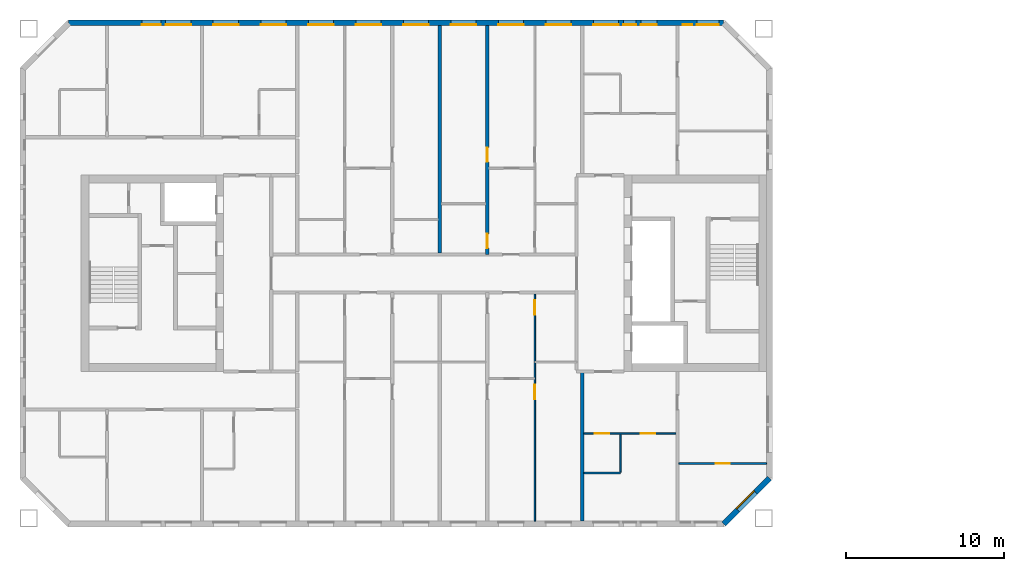
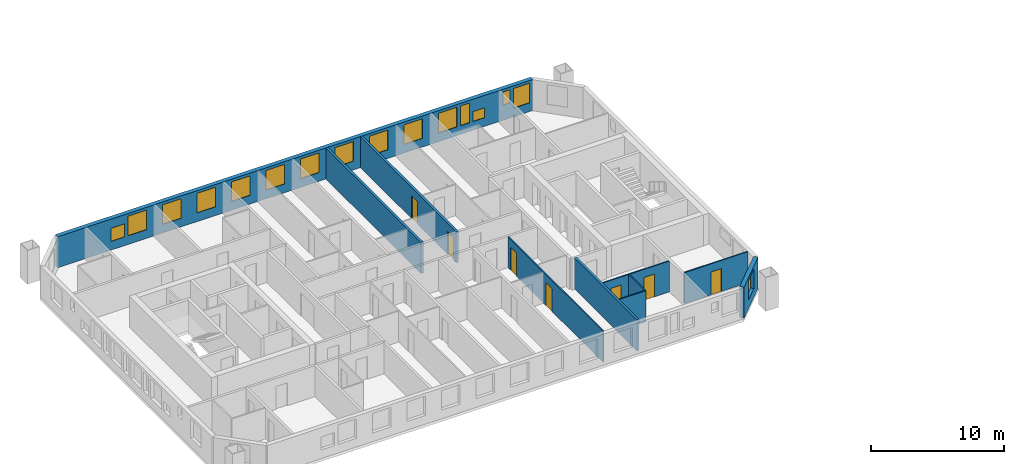
# One storey, part 6 of 16: 16 windows, 10 walls, 7 doors, 23 openings.
"""IFC4 building model written with IfcOpenShell, lengths in metres."""

from ifc_helpers import new_model, si_unit, direction, frame, frame_2d, origin, place, context, subcontext, project, spatial, rectangle, extrude, material, layer, layer_set, type_object, element, fill, save


model = new_model("IFC4")

# Units and contexts
model_context = context("Model", 3, precision=1e-05, world=origin(), true_north=direction((0.0, 1.0)))
body_context = subcontext(model_context, "Body", "Model", "MODEL_VIEW")
ifc_project = project(units=[si_unit("LENGTHUNIT", "METRE"), si_unit("AREAUNIT", "SQUARE_METRE"), si_unit("VOLUMEUNIT", "CUBIC_METRE"), si_unit("PLANEANGLEUNIT", "RADIAN"), si_unit("MASSUNIT", "GRAM", prefix="KILO")], contexts=[model_context])

# Site, building, storey
site_placement = place(None, origin())
site = spatial("IfcSite", under=ifc_project, at=site_placement, CompositionType="ELEMENT")
building_placement = place(site_placement, origin())
building = spatial("IfcBuilding", under=site, at=building_placement, Name="Tuart Gate Housing", CompositionType="ELEMENT")
storey_placement = place(building_placement, frame((0.0, 0.0, 151.60009765625)))
storey = spatial("IfcBuildingStorey", under=building, at=storey_placement, Name="L42", CompositionType="ELEMENT", Elevation=151.60009765625)

# Wall, opening, window
ifc_material_1 = material(Name="Brick", Category="masonry")
ifc_layer_1 = layer(ifc_material_1, 0.360107421875)
ifc_layer_set_1 = layer_set([ifc_layer_1], Name="Brick pier and spandrel wall 360")
wall_type_1 = type_object("IfcWallType", Name="Brick pier and spandrel wall 360", PredefinedType="STANDARD", material=ifc_layer_set_1)
wall_1_placement = place(storey_placement, frame((72.92529296875, 54.179931640625, 0.0), z_axis=(0.0, 0.0, 1.0), x_axis=(0.707106781187, 0.707106781187, 0.0)))
wall_1 = element("IfcWall", 1, at=wall_1_placement, inside=storey, type_object=wall_type_1, Name="External wall A-SE L42", PredefinedType="STANDARD", context=body_context, shape_type="SweptSolid", body=[
    extrude(rectangle(XDim=4.09375, YDim=0.360107421875, at=frame_2d((2.046875, 0.0))), origin(), (0.0, 0.0, 1.0), 2.849853515625),
])
opening_1_placement = place(wall_1_placement, frame((1.2470703125, 0.0, 0.800048828125)))
opening_1 = element("IfcOpeningElement", 2, at=opening_1_placement, cuts=wall_1, Name="Opening W1", PredefinedType="OPENING", context=body_context, shape_type="SweptSolid", body=[
    extrude(rectangle(XDim=1.60009765625, YDim=1.800048828125, at=frame_2d((0.800048828125, 0.89990234375))), frame((0.0, 0.18994140625, 0.0), z_axis=(0.0, -1.0, 0.0), x_axis=(1.0, 0.0, 0.0)), (0.0, 0.0, 1.0), 0.380126953125),
])
ifc_material_2 = material(Name="Aluminium frame with clear glass", Category="aluminium")
window_type_1 = type_object("IfcWindowType", Name="Punched window 1600 x 1800", PartitioningType="SINGLE_PANEL", PredefinedType="WINDOW", material=ifc_material_2)
window_1_placement = place(opening_1_placement, origin())
window_1 = element("IfcWindow", 3, at=window_1_placement, inside=storey, type_object=window_type_1, Name="Window W1", OverallHeight=1.800048828125, OverallWidth=1.60009765625, PartitioningType="SINGLE_PANEL", PredefinedType="WINDOW", context=body_context, shape_type="SweptSolid", body=[
    extrude(rectangle(XDim=1.60009765625, YDim=1.800048828125, at=frame_2d((0.800048828125, 0.89990234375))), frame((0.0, 0.150146484375, 0.0), z_axis=(0.0, -1.0, 0.0), x_axis=(1.0, 0.0, 0.0)), (0.0, 0.0, 1.0), 0.06005859375),
])
fill(opening_1, window_1)

# Wall, openings, windows
wall_2_placement = place(storey_placement, frame((72.92529296875, 85.820068359375, 0.0), z_axis=(0.0, 0.0, 1.0), x_axis=(-1.0, 0.0, 0.0)))
wall_2 = element("IfcWall", 4, at=wall_2_placement, inside=storey, type_object=wall_type_1, Name="External wall A-N L42", PredefinedType="STANDARD", context=body_context, shape_type="SweptSolid", body=[
    extrude(rectangle(XDim=41.350830078125, YDim=0.360107421875, at=frame_2d((20.67529296875, 0.0))), origin(), (0.0, 0.0, 1.0), 2.849853515625),
])
opening_2_placement = place(wall_2_placement, frame((0.300048828125, 0.0, 0.800048828125)))
opening_2 = element("IfcOpeningElement", 5, at=opening_2_placement, cuts=wall_2, Name="Opening W1A", PredefinedType="OPENING", context=body_context, shape_type="SweptSolid", body=[
    extrude(rectangle(XDim=1.39990234375, YDim=1.800048828125, at=frame_2d((0.699951171875, 0.89990234375))), frame((0.0, 0.18994140625, 0.0), z_axis=(0.0, -1.0, 0.0), x_axis=(1.0, 0.0, 0.0)), (0.0, 0.0, 1.0), 0.380126953125),
])
opening_3_placement = place(wall_2_placement, frame((4.225341796875, 0.0, 0.800048828125)))
opening_3 = element("IfcOpeningElement", 6, at=opening_3_placement, cuts=wall_2, Name="Opening W1U", PredefinedType="OPENING", context=body_context, shape_type="SweptSolid", body=[
    extrude(rectangle(XDim=1.0, YDim=0.89990234375, at=frame_2d((0.5, 0.449951171875))), frame((0.0, 0.18994140625, 0.0), z_axis=(0.0, -1.0, 0.0), x_axis=(1.0, 0.0, 0.0)), (0.0, 0.0, 1.0), 0.380126953125),
])
opening_4_placement = place(wall_2_placement, frame((6.62548828125, 0.0, 0.800048828125)))
opening_4 = element("IfcOpeningElement", 7, at=opening_4_placement, cuts=wall_2, Name="Opening W1", PredefinedType="OPENING", context=body_context, shape_type="SweptSolid", body=[
    extrude(rectangle(XDim=1.60009765625, YDim=1.800048828125, at=frame_2d((0.800048828125, 0.89990234375))), frame((0.0, 0.18994140625, 0.0), z_axis=(0.0, -1.0, 0.0), x_axis=(1.0, 0.0, 0.0)), (0.0, 0.0, 1.0), 0.380126953125),
])
opening_5_placement = place(wall_2_placement, frame((9.62548828125, 0.0, 0.800048828125)))
opening_5 = element("IfcOpeningElement", 8, at=opening_5_placement, cuts=wall_2, Name="Opening W1", PredefinedType="OPENING", context=body_context, shape_type="SweptSolid", body=[
    extrude(rectangle(XDim=1.60009765625, YDim=1.800048828125, at=frame_2d((0.800048828125, 0.89990234375))), frame((0.0, 0.18994140625, 0.0), z_axis=(0.0, -1.0, 0.0), x_axis=(1.0, 0.0, 0.0)), (0.0, 0.0, 1.0), 0.380126953125),
])
opening_6_placement = place(wall_2_placement, frame((12.62548828125, 0.0, 0.800048828125)))
opening_6 = element("IfcOpeningElement", 9, at=opening_6_placement, cuts=wall_2, Name="Opening W1", PredefinedType="OPENING", context=body_context, shape_type="SweptSolid", body=[
    extrude(rectangle(XDim=1.60009765625, YDim=1.800048828125, at=frame_2d((0.800048828125, 0.89990234375))), frame((0.0, 0.18994140625, 0.0), z_axis=(0.0, -1.0, 0.0), x_axis=(1.0, 0.0, 0.0)), (0.0, 0.0, 1.0), 0.380126953125),
])
opening_7_placement = place(wall_2_placement, frame((15.62548828125, 0.0, 0.800048828125)))
opening_7 = element("IfcOpeningElement", 10, at=opening_7_placement, cuts=wall_2, Name="Opening W1", PredefinedType="OPENING", context=body_context, shape_type="SweptSolid", body=[
    extrude(rectangle(XDim=1.60009765625, YDim=1.800048828125, at=frame_2d((0.800048828125, 0.89990234375))), frame((0.0, 0.18994140625, 0.0), z_axis=(0.0, -1.0, 0.0), x_axis=(1.0, 0.0, 0.0)), (0.0, 0.0, 1.0), 0.380126953125),
])
opening_8_placement = place(wall_2_placement, frame((18.62548828125, 0.0, 0.800048828125)))
opening_8 = element("IfcOpeningElement", 11, at=opening_8_placement, cuts=wall_2, Name="Opening W1", PredefinedType="OPENING", context=body_context, shape_type="SweptSolid", body=[
    extrude(rectangle(XDim=1.60009765625, YDim=1.800048828125, at=frame_2d((0.800048828125, 0.89990234375))), frame((0.0, 0.18994140625, 0.0), z_axis=(0.0, -1.0, 0.0), x_axis=(1.0, 0.0, 0.0)), (0.0, 0.0, 1.0), 0.380126953125),
])
opening_9_placement = place(wall_2_placement, frame((21.62548828125, 0.0, 0.800048828125)))
opening_9 = element("IfcOpeningElement", 12, at=opening_9_placement, cuts=wall_2, Name="Opening W1", PredefinedType="OPENING", context=body_context, shape_type="SweptSolid", body=[
    extrude(rectangle(XDim=1.60009765625, YDim=1.800048828125, at=frame_2d((0.800048828125, 0.89990234375))), frame((0.0, 0.18994140625, 0.0), z_axis=(0.0, -1.0, 0.0), x_axis=(1.0, 0.0, 0.0)), (0.0, 0.0, 1.0), 0.380126953125),
])
opening_10_placement = place(wall_2_placement, frame((24.62548828125, 0.0, 0.800048828125)))
opening_10 = element("IfcOpeningElement", 13, at=opening_10_placement, cuts=wall_2, Name="Opening W1", PredefinedType="OPENING", context=body_context, shape_type="SweptSolid", body=[
    extrude(rectangle(XDim=1.60009765625, YDim=1.800048828125, at=frame_2d((0.800048828125, 0.89990234375))), frame((0.0, 0.18994140625, 0.0), z_axis=(0.0, -1.0, 0.0), x_axis=(1.0, 0.0, 0.0)), (0.0, 0.0, 1.0), 0.380126953125),
])
opening_11_placement = place(wall_2_placement, frame((27.62548828125, 0.0, 0.800048828125)))
opening_11 = element("IfcOpeningElement", 14, at=opening_11_placement, cuts=wall_2, Name="Opening W1", PredefinedType="OPENING", context=body_context, shape_type="SweptSolid", body=[
    extrude(rectangle(XDim=1.60009765625, YDim=1.800048828125, at=frame_2d((0.800048828125, 0.89990234375))), frame((0.0, 0.18994140625, 0.0), z_axis=(0.0, -1.0, 0.0), x_axis=(1.0, 0.0, 0.0)), (0.0, 0.0, 1.0), 0.380126953125),
])
opening_12_placement = place(wall_2_placement, frame((30.62548828125, 0.0, 0.800048828125)))
opening_12 = element("IfcOpeningElement", 15, at=opening_12_placement, cuts=wall_2, Name="Opening W1", PredefinedType="OPENING", context=body_context, shape_type="SweptSolid", body=[
    extrude(rectangle(XDim=1.60009765625, YDim=1.800048828125, at=frame_2d((0.800048828125, 0.89990234375))), frame((0.0, 0.18994140625, 0.0), z_axis=(0.0, -1.0, 0.0), x_axis=(1.0, 0.0, 0.0)), (0.0, 0.0, 1.0), 0.380126953125),
])
opening_13_placement = place(wall_2_placement, frame((33.62548828125, 0.0, 0.800048828125)))
opening_13 = element("IfcOpeningElement", 16, at=opening_13_placement, cuts=wall_2, Name="Opening W1", PredefinedType="OPENING", context=body_context, shape_type="SweptSolid", body=[
    extrude(rectangle(XDim=1.60009765625, YDim=1.800048828125, at=frame_2d((0.800048828125, 0.89990234375))), frame((0.0, 0.18994140625, 0.0), z_axis=(0.0, -1.0, 0.0), x_axis=(1.0, 0.0, 0.0)), (0.0, 0.0, 1.0), 0.380126953125),
])
opening_14_placement = place(wall_2_placement, frame((35.525390625, 0.0, 0.800048828125)))
opening_14 = element("IfcOpeningElement", 17, at=opening_14_placement, cuts=wall_2, Name="Opening W1N", PredefinedType="OPENING", context=body_context, shape_type="SweptSolid", body=[
    extrude(rectangle(XDim=1.199951171875, YDim=1.199951171875, at=frame_2d((0.60009765625, 0.60009765625))), frame((0.0, 0.18994140625, 0.0), z_axis=(0.0, -1.0, 0.0), x_axis=(1.0, 0.0, 0.0)), (0.0, 0.0, 1.0), 0.380126953125),
])
opening_15_placement = place(wall_2_placement, frame((2.0, 0.0, 1.39990234375)))
opening_15 = element("IfcOpeningElement", 18, at=opening_15_placement, cuts=wall_2, Name="Opening W1Q", PredefinedType="OPENING", context=body_context, shape_type="SweptSolid", body=[
    extrude(rectangle(XDim=0.60009765625, YDim=1.199951171875, at=frame_2d((0.300048828125, 0.60009765625))), frame((0.0, 0.18994140625, 0.0), z_axis=(0.0, -1.0, 0.0), x_axis=(1.0, 0.0, 0.0)), (0.0, 0.0, 1.0), 0.380126953125),
])
opening_16_placement = place(wall_2_placement, frame((5.525390625, 0.0, 0.800048828125)))
opening_16 = element("IfcOpeningElement", 19, at=opening_16_placement, cuts=wall_2, Name="Opening W1D", PredefinedType="OPENING", context=body_context, shape_type="SweptSolid", body=[
    extrude(rectangle(XDim=0.800048828125, YDim=1.800048828125, at=frame_2d((0.39990234375, 0.89990234375))), frame((0.0, 0.18994140625, 0.0), z_axis=(0.0, -1.0, 0.0), x_axis=(1.0, 0.0, 0.0)), (0.0, 0.0, 1.0), 0.380126953125),
])
ifc_material_3 = material(Name="Aluminium frame with clear glass", Category="aluminium")
window_type_2 = type_object("IfcWindowType", Name="Punched window 1000 x 900", PartitioningType="SINGLE_PANEL", PredefinedType="WINDOW", material=ifc_material_3)
window_2_placement = place(opening_3_placement, origin())
window_2 = element("IfcWindow", 20, at=window_2_placement, inside=storey, type_object=window_type_2, Name="Window W1U", OverallHeight=0.89990234375, OverallWidth=1.0, PartitioningType="SINGLE_PANEL", PredefinedType="WINDOW", context=body_context, shape_type="SweptSolid", body=[
    extrude(rectangle(XDim=1.0, YDim=0.89990234375, at=frame_2d((0.5, 0.449951171875))), frame((0.0, 0.150146484375, 0.0), z_axis=(0.0, -1.0, 0.0), x_axis=(1.0, 0.0, 0.0)), (0.0, 0.0, 1.0), 0.06005859375),
])
fill(opening_3, window_2)
ifc_material_4 = material(Name="Aluminium frame with clear glass", Category="aluminium")
window_type_3 = type_object("IfcWindowType", Name="Punched window 1200 x 1200", PartitioningType="SINGLE_PANEL", PredefinedType="WINDOW", material=ifc_material_4)
window_3_placement = place(opening_14_placement, origin())
window_3 = element("IfcWindow", 21, at=window_3_placement, inside=storey, type_object=window_type_3, Name="Window W1N", OverallHeight=1.199951171875, OverallWidth=1.199951171875, PartitioningType="SINGLE_PANEL", PredefinedType="WINDOW", context=body_context, shape_type="SweptSolid", body=[
    extrude(rectangle(XDim=1.199951171875, YDim=1.199951171875, at=frame_2d((0.60009765625, 0.60009765625))), frame((0.0, 0.150146484375, 0.0), z_axis=(0.0, -1.0, 0.0), x_axis=(1.0, 0.0, 0.0)), (0.0, 0.0, 1.0), 0.06005859375),
])
fill(opening_14, window_3)
ifc_material_5 = material(Name="Aluminium frame with clear glass", Category="aluminium")
window_type_4 = type_object("IfcWindowType", Name="Punched window 1400 x 1800", PartitioningType="SINGLE_PANEL", PredefinedType="WINDOW", material=ifc_material_5)
window_4_placement = place(opening_2_placement, origin())
window_4 = element("IfcWindow", 22, at=window_4_placement, inside=storey, type_object=window_type_4, Name="Window W1A", OverallHeight=1.800048828125, OverallWidth=1.39990234375, PartitioningType="SINGLE_PANEL", PredefinedType="WINDOW", context=body_context, shape_type="SweptSolid", body=[
    extrude(rectangle(XDim=1.39990234375, YDim=1.800048828125, at=frame_2d((0.699951171875, 0.89990234375))), frame((0.0, 0.150146484375, 0.0), z_axis=(0.0, -1.0, 0.0), x_axis=(1.0, 0.0, 0.0)), (0.0, 0.0, 1.0), 0.06005859375),
])
fill(opening_2, window_4)
window_5_placement = place(opening_4_placement, origin())
window_5 = element("IfcWindow", 23, at=window_5_placement, inside=storey, type_object=window_type_1, Name="Window W1", OverallHeight=1.800048828125, OverallWidth=1.60009765625, PartitioningType="SINGLE_PANEL", PredefinedType="WINDOW", context=body_context, shape_type="SweptSolid", body=[
    extrude(rectangle(XDim=1.60009765625, YDim=1.800048828125, at=frame_2d((0.800048828125, 0.89990234375))), frame((0.0, 0.150146484375, 0.0), z_axis=(0.0, -1.0, 0.0), x_axis=(1.0, 0.0, 0.0)), (0.0, 0.0, 1.0), 0.06005859375),
])
fill(opening_4, window_5)
window_6_placement = place(opening_5_placement, origin())
window_6 = element("IfcWindow", 24, at=window_6_placement, inside=storey, type_object=window_type_1, Name="Window W1", OverallHeight=1.800048828125, OverallWidth=1.60009765625, PartitioningType="SINGLE_PANEL", PredefinedType="WINDOW", context=body_context, shape_type="SweptSolid", body=[
    extrude(rectangle(XDim=1.60009765625, YDim=1.800048828125, at=frame_2d((0.800048828125, 0.89990234375))), frame((0.0, 0.150146484375, 0.0), z_axis=(0.0, -1.0, 0.0), x_axis=(1.0, 0.0, 0.0)), (0.0, 0.0, 1.0), 0.06005859375),
])
fill(opening_5, window_6)
window_7_placement = place(opening_6_placement, origin())
window_7 = element("IfcWindow", 25, at=window_7_placement, inside=storey, type_object=window_type_1, Name="Window W1", OverallHeight=1.800048828125, OverallWidth=1.60009765625, PartitioningType="SINGLE_PANEL", PredefinedType="WINDOW", context=body_context, shape_type="SweptSolid", body=[
    extrude(rectangle(XDim=1.60009765625, YDim=1.800048828125, at=frame_2d((0.800048828125, 0.89990234375))), frame((0.0, 0.150146484375, 0.0), z_axis=(0.0, -1.0, 0.0), x_axis=(1.0, 0.0, 0.0)), (0.0, 0.0, 1.0), 0.06005859375),
])
fill(opening_6, window_7)
window_8_placement = place(opening_7_placement, origin())
window_8 = element("IfcWindow", 26, at=window_8_placement, inside=storey, type_object=window_type_1, Name="Window W1", OverallHeight=1.800048828125, OverallWidth=1.60009765625, PartitioningType="SINGLE_PANEL", PredefinedType="WINDOW", context=body_context, shape_type="SweptSolid", body=[
    extrude(rectangle(XDim=1.60009765625, YDim=1.800048828125, at=frame_2d((0.800048828125, 0.89990234375))), frame((0.0, 0.150146484375, 0.0), z_axis=(0.0, -1.0, 0.0), x_axis=(1.0, 0.0, 0.0)), (0.0, 0.0, 1.0), 0.06005859375),
])
fill(opening_7, window_8)
window_9_placement = place(opening_8_placement, origin())
window_9 = element("IfcWindow", 27, at=window_9_placement, inside=storey, type_object=window_type_1, Name="Window W1", OverallHeight=1.800048828125, OverallWidth=1.60009765625, PartitioningType="SINGLE_PANEL", PredefinedType="WINDOW", context=body_context, shape_type="SweptSolid", body=[
    extrude(rectangle(XDim=1.60009765625, YDim=1.800048828125, at=frame_2d((0.800048828125, 0.89990234375))), frame((0.0, 0.150146484375, 0.0), z_axis=(0.0, -1.0, 0.0), x_axis=(1.0, 0.0, 0.0)), (0.0, 0.0, 1.0), 0.06005859375),
])
fill(opening_8, window_9)
window_10_placement = place(opening_9_placement, origin())
window_10 = element("IfcWindow", 28, at=window_10_placement, inside=storey, type_object=window_type_1, Name="Window W1", OverallHeight=1.800048828125, OverallWidth=1.60009765625, PartitioningType="SINGLE_PANEL", PredefinedType="WINDOW", context=body_context, shape_type="SweptSolid", body=[
    extrude(rectangle(XDim=1.60009765625, YDim=1.800048828125, at=frame_2d((0.800048828125, 0.89990234375))), frame((0.0, 0.150146484375, 0.0), z_axis=(0.0, -1.0, 0.0), x_axis=(1.0, 0.0, 0.0)), (0.0, 0.0, 1.0), 0.06005859375),
])
fill(opening_9, window_10)
window_11_placement = place(opening_10_placement, origin())
window_11 = element("IfcWindow", 29, at=window_11_placement, inside=storey, type_object=window_type_1, Name="Window W1", OverallHeight=1.800048828125, OverallWidth=1.60009765625, PartitioningType="SINGLE_PANEL", PredefinedType="WINDOW", context=body_context, shape_type="SweptSolid", body=[
    extrude(rectangle(XDim=1.60009765625, YDim=1.800048828125, at=frame_2d((0.800048828125, 0.89990234375))), frame((0.0, 0.150146484375, 0.0), z_axis=(0.0, -1.0, 0.0), x_axis=(1.0, 0.0, 0.0)), (0.0, 0.0, 1.0), 0.06005859375),
])
fill(opening_10, window_11)
window_12_placement = place(opening_11_placement, origin())
window_12 = element("IfcWindow", 30, at=window_12_placement, inside=storey, type_object=window_type_1, Name="Window W1", OverallHeight=1.800048828125, OverallWidth=1.60009765625, PartitioningType="SINGLE_PANEL", PredefinedType="WINDOW", context=body_context, shape_type="SweptSolid", body=[
    extrude(rectangle(XDim=1.60009765625, YDim=1.800048828125, at=frame_2d((0.800048828125, 0.89990234375))), frame((0.0, 0.150146484375, 0.0), z_axis=(0.0, -1.0, 0.0), x_axis=(1.0, 0.0, 0.0)), (0.0, 0.0, 1.0), 0.06005859375),
])
fill(opening_11, window_12)
window_13_placement = place(opening_12_placement, origin())
window_13 = element("IfcWindow", 31, at=window_13_placement, inside=storey, type_object=window_type_1, Name="Window W1", OverallHeight=1.800048828125, OverallWidth=1.60009765625, PartitioningType="SINGLE_PANEL", PredefinedType="WINDOW", context=body_context, shape_type="SweptSolid", body=[
    extrude(rectangle(XDim=1.60009765625, YDim=1.800048828125, at=frame_2d((0.800048828125, 0.89990234375))), frame((0.0, 0.150146484375, 0.0), z_axis=(0.0, -1.0, 0.0), x_axis=(1.0, 0.0, 0.0)), (0.0, 0.0, 1.0), 0.06005859375),
])
fill(opening_12, window_13)
window_14_placement = place(opening_13_placement, origin())
window_14 = element("IfcWindow", 32, at=window_14_placement, inside=storey, type_object=window_type_1, Name="Window W1", OverallHeight=1.800048828125, OverallWidth=1.60009765625, PartitioningType="SINGLE_PANEL", PredefinedType="WINDOW", context=body_context, shape_type="SweptSolid", body=[
    extrude(rectangle(XDim=1.60009765625, YDim=1.800048828125, at=frame_2d((0.800048828125, 0.89990234375))), frame((0.0, 0.150146484375, 0.0), z_axis=(0.0, -1.0, 0.0), x_axis=(1.0, 0.0, 0.0)), (0.0, 0.0, 1.0), 0.06005859375),
])
fill(opening_13, window_14)
ifc_material_6 = material(Name="Aluminium frame with clear glass", Category="aluminium")
window_type_5 = type_object("IfcWindowType", Name="Punched window 600 x 1200", PartitioningType="SINGLE_PANEL", PredefinedType="WINDOW", material=ifc_material_6)
window_15_placement = place(opening_15_placement, origin())
window_15 = element("IfcWindow", 33, at=window_15_placement, inside=storey, type_object=window_type_5, Name="Window W1Q", OverallHeight=1.199951171875, OverallWidth=0.60009765625, PartitioningType="SINGLE_PANEL", PredefinedType="WINDOW", context=body_context, shape_type="SweptSolid", body=[
    extrude(rectangle(XDim=0.60009765625, YDim=1.199951171875, at=frame_2d((0.300048828125, 0.60009765625))), frame((0.0, 0.150146484375, 0.0), z_axis=(0.0, -1.0, 0.0), x_axis=(1.0, 0.0, 0.0)), (0.0, 0.0, 1.0), 0.06005859375),
])
fill(opening_15, window_15)
ifc_material_7 = material(Name="Aluminium frame with clear glass", Category="aluminium")
window_type_6 = type_object("IfcWindowType", Name="Punched window 800 x 1800", PartitioningType="SINGLE_PANEL", PredefinedType="WINDOW", material=ifc_material_7)
window_16_placement = place(opening_16_placement, origin())
window_16 = element("IfcWindow", 34, at=window_16_placement, inside=storey, type_object=window_type_6, Name="Window W1D", OverallHeight=1.800048828125, OverallWidth=0.800048828125, PartitioningType="SINGLE_PANEL", PredefinedType="WINDOW", context=body_context, shape_type="SweptSolid", body=[
    extrude(rectangle(XDim=0.800048828125, YDim=1.800048828125, at=frame_2d((0.39990234375, 0.89990234375))), frame((0.0, 0.150146484375, 0.0), z_axis=(0.0, -1.0, 0.0), x_axis=(1.0, 0.0, 0.0)), (0.0, 0.0, 1.0), 0.06005859375),
])
fill(opening_16, window_16)

# Wall
ifc_material_8 = material(Name="Gypsum board on steel studs", Category="steel")
ifc_layer_2 = layer(ifc_material_8, 0.10009765625)
ifc_layer_set_2 = layer_set([ifc_layer_2], Name="Partition 100")
wall_type_2 = type_object("IfcWallType", Name="Partition 100", PredefinedType="PARTITIONING", material=ifc_layer_set_2)
wall_3_placement = place(storey_placement, frame((64.10009765625, 57.39990234375, 0.0), z_axis=(0.0, 0.0, 1.0), x_axis=(1.0, 0.0, 0.0)))
element("IfcWall", 35, at=wall_3_placement, inside=storey, type_object=wall_type_2, Name="Partition 100", PredefinedType="PARTITIONING", context=body_context, shape_type="SweptSolid", body=[
    extrude(rectangle(XDim=2.2998046875, YDim=0.10009765625, at=frame_2d((1.14990234375, 0.0))), origin(), (0.0, 0.0, 1.0), 2.849853515625),
])

# Wall, opening, door
wall_4_placement = place(storey_placement, frame((70.10009765625, 58.0, 0.0), z_axis=(0.0, 0.0, 1.0), x_axis=(1.0, 0.0, 0.0)))
wall_4 = element("IfcWall", 36, at=wall_4_placement, inside=storey, type_object=wall_type_2, Name="Partition 100", PredefinedType="PARTITIONING", context=body_context, shape_type="SweptSolid", body=[
    extrude(rectangle(XDim=5.539794921875, YDim=0.10009765625, at=frame_2d((2.77001953125, 0.0))), origin(), (0.0, 0.0, 1.0), 2.849853515625),
])
opening_17_placement = place(wall_4_placement, frame((2.320068359375, 0.0, 0.0)))
opening_17 = element("IfcOpeningElement", 37, at=opening_17_placement, cuts=wall_4, Name="Opening D1570", PredefinedType="OPENING", context=body_context, shape_type="SweptSolid", body=[
    extrude(rectangle(XDim=0.89990234375, YDim=2.10009765625, at=frame_2d((0.449951171875, 1.050048828125))), frame((0.0, 0.06005859375, 0.0), z_axis=(0.0, -1.0, 0.0), x_axis=(1.0, 0.0, 0.0)), (0.0, 0.0, 1.0), 0.1201171875),
])
ifc_material_9 = material(Name="Timber door leaf in steel frame", Category="steel")
door_type_1 = type_object("IfcDoorType", Name="Internal door 900", OperationType="SINGLE_SWING_LEFT", PredefinedType="DOOR", material=ifc_material_9)
door_1_placement = place(opening_17_placement, frame((0.89990234375, 0.0, 0.0), z_axis=(0.0, 0.0, 1.0), x_axis=(-1.0, 0.0, 0.0)))
door_1 = element("IfcDoor", 38, at=door_1_placement, inside=storey, type_object=door_type_1, Name="Internal door", OperationType="SINGLE_SWING_LEFT", OverallHeight=2.10009765625, OverallWidth=0.89990234375, PredefinedType="DOOR", context=body_context, shape_type="SweptSolid", body=[
    extrude(rectangle(XDim=0.89990234375, YDim=2.10009765625, at=frame_2d((0.449951171875, 1.050048828125))), frame((0.0, 0.025146484375, 0.0), z_axis=(0.0, -1.0, 0.0), x_axis=(1.0, 0.0, 0.0)), (0.0, 0.0, 1.0), 0.050048828125),
])
fill(opening_17, door_1)

# Wall, openings, doors
wall_5_placement = place(storey_placement, frame((64.10009765625, 59.89990234375, 0.0), z_axis=(0.0, 0.0, 1.0), x_axis=(1.0, 0.0, 0.0)))
wall_5 = element("IfcWall", 39, at=wall_5_placement, inside=storey, type_object=wall_type_2, Name="Partition 100", PredefinedType="PARTITIONING", context=body_context, shape_type="SweptSolid", body=[
    extrude(rectangle(XDim=5.7998046875, YDim=0.10009765625, at=frame_2d((2.89990234375, 0.0))), origin(), (0.0, 0.0, 1.0), 2.849853515625),
])
opening_18_placement = place(wall_5_placement, frame((3.60009765625, 0.0, 0.0)))
opening_18 = element("IfcOpeningElement", 40, at=opening_18_placement, cuts=wall_5, Name="Opening D1567", PredefinedType="OPENING", context=body_context, shape_type="SweptSolid", body=[
    extrude(rectangle(XDim=0.89990234375, YDim=2.10009765625, at=frame_2d((0.449951171875, 1.050048828125))), frame((0.0, 0.06005859375, 0.0), z_axis=(0.0, -1.0, 0.0), x_axis=(1.0, 0.0, 0.0)), (0.0, 0.0, 1.0), 0.1201171875),
])
opening_19_placement = place(wall_5_placement, frame((0.699951171875, 0.0, 0.0)))
opening_19 = element("IfcOpeningElement", 41, at=opening_19_placement, cuts=wall_5, Name="Opening D1566", PredefinedType="OPENING", context=body_context, shape_type="SweptSolid", body=[
    extrude(rectangle(XDim=0.89990234375, YDim=2.10009765625, at=frame_2d((0.449951171875, 1.050048828125))), frame((0.0, 0.06005859375, 0.0), z_axis=(0.0, -1.0, 0.0), x_axis=(1.0, 0.0, 0.0)), (0.0, 0.0, 1.0), 0.1201171875),
])
ifc_material_10 = material(Name="Timber door leaf in steel frame", Category="steel")
door_type_2 = type_object("IfcDoorType", Name="Bathroom door 900", OperationType="SINGLE_SWING_LEFT", PredefinedType="DOOR", material=ifc_material_10)
door_2_placement = place(opening_19_placement, frame((0.89990234375, 0.0, 0.0), z_axis=(0.0, 0.0, 1.0), x_axis=(-1.0, 0.0, 0.0)))
door_2 = element("IfcDoor", 42, at=door_2_placement, inside=storey, type_object=door_type_2, Name="Bathroom door", OperationType="SINGLE_SWING_LEFT", OverallHeight=2.10009765625, OverallWidth=0.89990234375, PredefinedType="DOOR", context=body_context, shape_type="SweptSolid", body=[
    extrude(rectangle(XDim=0.89990234375, YDim=2.10009765625, at=frame_2d((0.449951171875, 1.050048828125))), frame((0.0, 0.025146484375, 0.0), z_axis=(0.0, -1.0, 0.0), x_axis=(1.0, 0.0, 0.0)), (0.0, 0.0, 1.0), 0.050048828125),
])
fill(opening_19, door_2)
ifc_material_11 = material(Name="Timber door leaf in steel frame", Category="steel")
door_type_3 = type_object("IfcDoorType", Name="Internal door 900 RH", OperationType="SINGLE_SWING_RIGHT", PredefinedType="DOOR", material=ifc_material_11)
door_3_placement = place(opening_18_placement, frame((0.89990234375, 0.0, 0.0), z_axis=(0.0, 0.0, 1.0), x_axis=(-1.0, 0.0, 0.0)))
door_3 = element("IfcDoor", 43, at=door_3_placement, inside=storey, type_object=door_type_3, Name="Internal door", OperationType="SINGLE_SWING_RIGHT", OverallHeight=2.10009765625, OverallWidth=0.89990234375, PredefinedType="DOOR", context=body_context, shape_type="SweptSolid", body=[
    extrude(rectangle(XDim=0.89990234375, YDim=2.10009765625, at=frame_2d((0.449951171875, 1.050048828125))), frame((0.0, 0.025146484375, 0.0), z_axis=(0.0, -1.0, 0.0), x_axis=(1.0, 0.0, 0.0)), (0.0, 0.0, 1.0), 0.050048828125),
])
fill(opening_18, door_3)

wall_6_placement = place(storey_placement, frame((61.0, 54.360107421875, 0.0), z_axis=(0.0, 0.0, 1.0), x_axis=(0.0, 1.0, 0.0)))
wall_6 = element("IfcWall", 44, at=wall_6_placement, inside=storey, type_object=wall_type_2, Name="Partition 100", PredefinedType="PARTITIONING", context=body_context, shape_type="SweptSolid", body=[
    extrude(rectangle(XDim=14.33984375, YDim=0.10009765625, at=frame_2d((7.169921875, 0.0))), origin(), (0.0, 0.0, 1.0), 2.849853515625),
])
opening_20_placement = place(wall_6_placement, frame((7.699951171875, 0.0, 0.0)))
opening_20 = element("IfcOpeningElement", 45, at=opening_20_placement, cuts=wall_6, Name="Opening D1563", PredefinedType="OPENING", context=body_context, shape_type="SweptSolid", body=[
    extrude(rectangle(XDim=0.89990234375, YDim=2.10009765625, at=frame_2d((0.449951171875, 1.050048828125))), frame((0.0, 0.06005859375, 0.0), z_axis=(0.0, -1.0, 0.0), x_axis=(1.0, 0.0, 0.0)), (0.0, 0.0, 1.0), 0.1201171875),
])
opening_21_placement = place(wall_6_placement, frame((13.0400390625, 0.0, 0.0)))
opening_21 = element("IfcOpeningElement", 46, at=opening_21_placement, cuts=wall_6, Name="Opening D1562", PredefinedType="OPENING", context=body_context, shape_type="SweptSolid", body=[
    extrude(rectangle(XDim=0.89990234375, YDim=2.10009765625, at=frame_2d((0.449951171875, 1.050048828125))), frame((0.0, 0.06005859375, 0.0), z_axis=(0.0, -1.0, 0.0), x_axis=(1.0, 0.0, 0.0)), (0.0, 0.0, 1.0), 0.1201171875),
])
door_4_placement = place(opening_21_placement, frame((0.89990234375, 0.0, 0.0), z_axis=(0.0, 0.0, 1.0), x_axis=(-1.0, 0.0, 0.0)))
door_4 = element("IfcDoor", 47, at=door_4_placement, inside=storey, type_object=door_type_2, Name="Bathroom door", OperationType="SINGLE_SWING_LEFT", OverallHeight=2.10009765625, OverallWidth=0.89990234375, PredefinedType="DOOR", context=body_context, shape_type="SweptSolid", body=[
    extrude(rectangle(XDim=0.89990234375, YDim=2.10009765625, at=frame_2d((0.449951171875, 1.050048828125))), frame((0.0, 0.025146484375, 0.0), z_axis=(0.0, -1.0, 0.0), x_axis=(1.0, 0.0, 0.0)), (0.0, 0.0, 1.0), 0.050048828125),
])
fill(opening_21, door_4)
door_5_placement = place(opening_20_placement, frame((0.89990234375, 0.0, 0.0), z_axis=(0.0, 0.0, 1.0), x_axis=(-1.0, 0.0, 0.0)))
door_5 = element("IfcDoor", 48, at=door_5_placement, inside=storey, type_object=door_type_1, Name="Internal door", OperationType="SINGLE_SWING_LEFT", OverallHeight=2.10009765625, OverallWidth=0.89990234375, PredefinedType="DOOR", context=body_context, shape_type="SweptSolid", body=[
    extrude(rectangle(XDim=0.89990234375, YDim=2.10009765625, at=frame_2d((0.449951171875, 1.050048828125))), frame((0.0, 0.025146484375, 0.0), z_axis=(0.0, -1.0, 0.0), x_axis=(1.0, 0.0, 0.0)), (0.0, 0.0, 1.0), 0.050048828125),
])
fill(opening_20, door_5)

# Wall
wall_7_placement = place(storey_placement, frame((66.39990234375, 57.449951171875, 0.0), z_axis=(0.0, 0.0, 1.0), x_axis=(0.0, 1.0, 0.0)))
element("IfcWall", 49, at=wall_7_placement, inside=storey, type_object=wall_type_2, Name="Partition 100", PredefinedType="PARTITIONING", context=body_context, shape_type="SweptSolid", body=[
    extrude(rectangle(XDim=2.400146484375, YDim=0.10009765625, at=frame_2d((1.2001953125, 0.0))), origin(), (0.0, 0.0, 1.0), 2.849853515625),
])

# Wall, openings, doors
ifc_material_12 = material(Name="Concrete C40", Category="concrete")
ifc_layer_3 = layer(ifc_material_12, 0.199951171875)
ifc_layer_set_3 = layer_set([ifc_layer_3], Name="Party wall concrete C40 200")
wall_type_3 = type_object("IfcWallType", Name="Party wall concrete C40 200", PredefinedType="SOLIDWALL", material=ifc_layer_set_3)
wall_8_placement = place(storey_placement, frame((58.0, 71.199951171875, 0.0), z_axis=(0.0, 0.0, 1.0), x_axis=(0.0, 1.0, 0.0)))
wall_8 = element("IfcWall", 50, at=wall_8_placement, inside=storey, type_object=wall_type_3, Name="Party wall concrete C40 200", PredefinedType="SOLIDWALL", context=body_context, shape_type="SweptSolid", body=[
    extrude(rectangle(XDim=14.43994140625, YDim=0.199951171875, at=frame_2d((7.219970703125, 0.0))), origin(), (0.0, 0.0, 1.0), 2.849853515625),
])
opening_22_placement = place(wall_8_placement, frame((5.840087890625, 0.0, 0.0)))
opening_22 = element("IfcOpeningElement", 51, at=opening_22_placement, cuts=wall_8, Name="Opening D1532", PredefinedType="OPENING", context=body_context, shape_type="SweptSolid", body=[
    extrude(rectangle(XDim=0.89990234375, YDim=2.10009765625, at=frame_2d((0.449951171875, 1.050048828125))), frame((0.0, 0.10986328125, 0.0), z_axis=(0.0, -1.0, 0.0), x_axis=(1.0, 0.0, 0.0)), (0.0, 0.0, 1.0), 0.219970703125),
])
opening_23_placement = place(wall_8_placement, frame((0.39990234375, 0.0, 0.0)))
opening_23 = element("IfcOpeningElement", 52, at=opening_23_placement, cuts=wall_8, Name="Opening D1531", PredefinedType="OPENING", context=body_context, shape_type="SweptSolid", body=[
    extrude(rectangle(XDim=0.89990234375, YDim=2.10009765625, at=frame_2d((0.449951171875, 1.050048828125))), frame((0.0, 0.10986328125, 0.0), z_axis=(0.0, -1.0, 0.0), x_axis=(1.0, 0.0, 0.0)), (0.0, 0.0, 1.0), 0.219970703125),
])
door_6_placement = place(opening_23_placement, origin())
door_6 = element("IfcDoor", 53, at=door_6_placement, inside=storey, type_object=door_type_2, Name="Bathroom door", OperationType="SINGLE_SWING_LEFT", OverallHeight=2.10009765625, OverallWidth=0.89990234375, PredefinedType="DOOR", context=body_context, shape_type="SweptSolid", body=[
    extrude(rectangle(XDim=0.89990234375, YDim=2.10009765625, at=frame_2d((0.449951171875, 1.050048828125))), frame((0.0, 0.02490234375, 0.0), z_axis=(0.0, -1.0, 0.0), x_axis=(1.0, 0.0, 0.0)), (0.0, 0.0, 1.0), 0.050048828125),
])
fill(opening_23, door_6)
door_7_placement = place(opening_22_placement, origin())
door_7 = element("IfcDoor", 54, at=door_7_placement, inside=storey, type_object=door_type_1, Name="Internal door", OperationType="SINGLE_SWING_LEFT", OverallHeight=2.10009765625, OverallWidth=0.89990234375, PredefinedType="DOOR", context=body_context, shape_type="SweptSolid", body=[
    extrude(rectangle(XDim=0.89990234375, YDim=2.10009765625, at=frame_2d((0.449951171875, 1.050048828125))), frame((0.0, 0.02490234375, 0.0), z_axis=(0.0, -1.0, 0.0), x_axis=(1.0, 0.0, 0.0)), (0.0, 0.0, 1.0), 0.050048828125),
])
fill(opening_22, door_7)

# Walls
wall_9_placement = place(storey_placement, frame((64.0, 54.360107421875, 0.0), z_axis=(0.0, 0.0, 1.0), x_axis=(0.0, 1.0, 0.0)))
element("IfcWall", 55, at=wall_9_placement, inside=storey, type_object=wall_type_3, Name="Party wall concrete C40 200", PredefinedType="SOLIDWALL", context=body_context, shape_type="SweptSolid", body=[
    extrude(rectangle(XDim=9.43994140625, YDim=0.199951171875, at=frame_2d((4.719970703125, 0.0))), origin(), (0.0, 0.0, 1.0), 2.849853515625),
])
ifc_material_13 = material(Name="Concrete masonry 15 MPa", Category="masonry")
ifc_layer_4 = layer(ifc_material_13, 0.199951171875)
ifc_layer_set_4 = layer_set([ifc_layer_4], Name="Party wall masonry 200")
wall_type_4 = type_object("IfcWallType", Name="Party wall masonry 200", PredefinedType="PARTITIONING", material=ifc_layer_set_4)
wall_10_placement = place(storey_placement, frame((55.0, 71.300048828125, 0.0), z_axis=(0.0, 0.0, 1.0), x_axis=(0.0, 1.0, 0.0)))
element("IfcWall", 56, at=wall_10_placement, inside=storey, type_object=wall_type_4, Name="Party wall masonry 200", PredefinedType="PARTITIONING", context=body_context, shape_type="SweptSolid", body=[
    extrude(rectangle(XDim=14.33984375, YDim=0.199951171875, at=frame_2d((7.169921875, 0.0))), origin(), (0.0, 0.0, 1.0), 2.849853515625),
])

save(model, "model.ifc")
